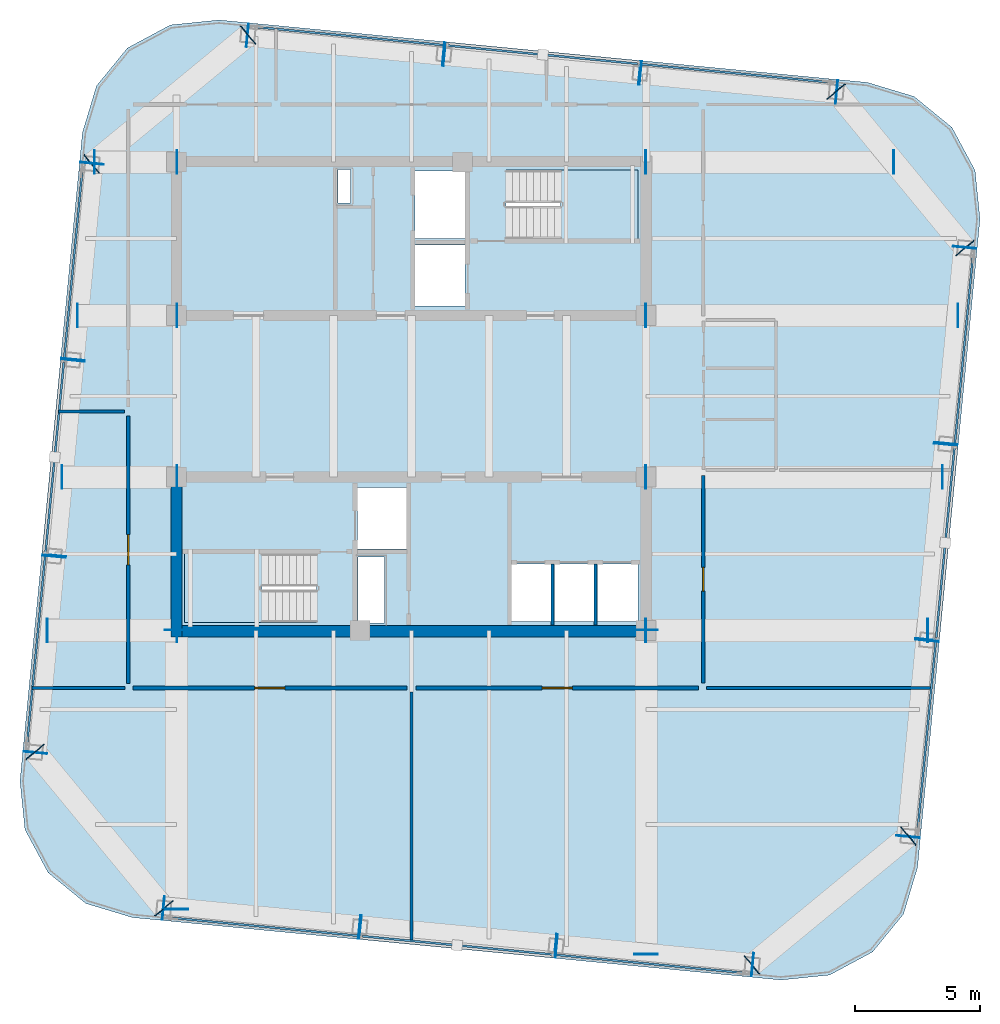
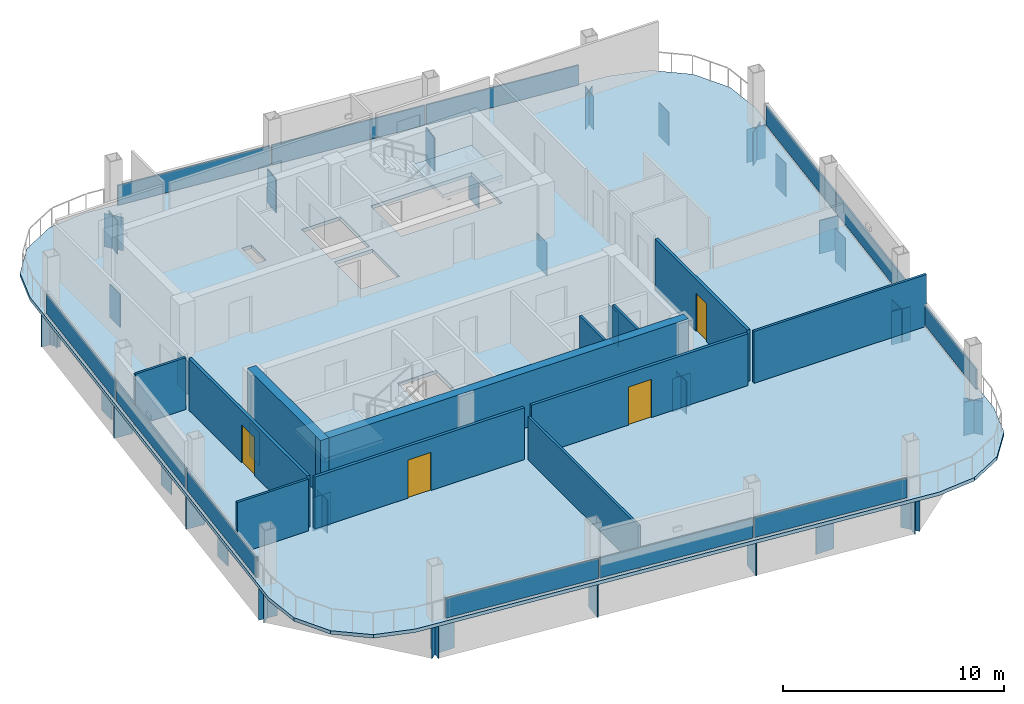
# One storey, part 15 of 21: 64 plates, 12 walls, 4 doors, 3 slabs, 4 openings, 6 elements without a shape of their own.
"""IFC4 building model written with IfcOpenShell, lengths in metres."""

from ifc_helpers import new_model, si_unit, direction, frame, frame_2d, origin, origin_2d, place, context, subcontext, project, spatial, polyline, rectangle, outline, extrude, material, layer, layer_set, type_object, element, fill, aggregate, save


model = new_model("IFC4")

# Units and contexts
model_context = context("Model", 3, precision=1e-05, world=origin(), true_north=direction((0.0, 1.0)))
body_context = subcontext(model_context, "Body", "Model", "MODEL_VIEW")
ifc_project = project(units=[si_unit("LENGTHUNIT", "METRE"), si_unit("AREAUNIT", "SQUARE_METRE"), si_unit("VOLUMEUNIT", "CUBIC_METRE"), si_unit("PLANEANGLEUNIT", "RADIAN"), si_unit("MASSUNIT", "GRAM", prefix="KILO")], contexts=[model_context])

# Site, building, storey
site_placement = place(None, origin())
site = spatial("IfcSite", under=ifc_project, at=site_placement, CompositionType="ELEMENT")
building_placement = place(site_placement, origin())
building = spatial("IfcBuilding", under=site, at=building_placement, Name="Qhalaya Broadcast Tower", CompositionType="ELEMENT")
storey_placement = place(building_placement, frame((0.0, 0.0, 270.300048828125)))
storey = spatial("IfcBuildingStorey", under=building, at=storey_placement, Name="L80", CompositionType="ELEMENT", Elevation=270.300048828125)

# Plates
ifc_material_1 = material(Name="Structural Steel ASTM A572 Grade 50", Category="steel")
ifc_layer_1 = layer(ifc_material_1, 0.4599609375, Name="Structural Steel ASTM A572 Grade 50")
ifc_layer_set_1 = layer_set([ifc_layer_1], Name="Structural Steel ASTM A572 Grade 50")
plate_type_1 = type_object("IfcPlateType", Name="Hollow Box Member End Cap Plate CP-01", PredefinedType="USERDEFINED", material=ifc_layer_set_1)
for number, where, z_axis, x_axis, name in (
    (1, (-9.89892578125, -19.826904296875, -2.01025390625), (0.0, 0.0, 1.0), (0.095828379565, 0.99539787104, 0.0), "L80 Hollow Girder End Cap L80-SPR-01-A"),
    (2, (-2.03662109375, -20.583984375, -2.01025390625), (0.0, 0.0, 1.0), (0.095828379565, 0.99539787104, 0.0), "L80 Hollow Girder End Cap L80-SPR-01-B"),
    (3, (-2.068359375, -20.580810546875, -2.01025390625), (0.0, 0.0, 1.0), (0.09584575252, 0.995396198367, 0.0), "L80 Hollow Girder End Cap L80-SPR-02-A"),
    (4, (5.793701171875, -21.337890625, -2.01025390625), (0.0, 0.0, 1.0), (0.09584575252, 0.995396198367, 0.0), "L80 Hollow Girder End Cap L80-SPR-02-B"),
    (5, (5.761962890625, -21.3349609375, -2.01025390625), (0.0, 0.0, 1.0), (0.09584575252, 0.995396198367, 0.0), "L80 Hollow Girder End Cap L80-SPR-03-A"),
    (6, (13.624267578125, -22.091796875, -2.01025390625), (0.0, 0.0, 1.0), (0.09584575252, 0.995396198367, 0.0), "L80 Hollow Girder End Cap L80-SPR-03-B"),
    (7, (13.59619140625, -22.1005859375, -2.01025390625), (0.0, 0.0, 1.0), (-0.636078220278, 0.771624583388, 0.0), "L80 Hollow Girder End Cap L80-SPR-04-A"),
    (8, (19.8408203125, -16.952880859375, -2.01025390625), (0.0, 0.0, 1.0), (-0.636078220278, 0.771624583388, 0.0), "L80 Hollow Girder End Cap L80-SPR-04-B"),
    (9, (19.826904296875, -16.97900390625, -2.01025390625), (0.0, 0.0, 1.0), (-0.99539787104, 0.095828379565, 0.0), "L80 Hollow Girder End Cap L80-SPR-05-A"),
    (10, (20.583984375, -9.11669921875, -2.01025390625), (0.0, 0.0, 1.0), (-0.99539787104, 0.095828379565, 0.0), "L80 Hollow Girder End Cap L80-SPR-05-B"),
    (11, (20.580810546875, -9.1484375, -2.01025390625), (0.0, 0.0, 1.0), (-0.995396198367, 0.09584575252, 0.0), "L80 Hollow Girder End Cap L80-SPR-06-A"),
    (12, (21.337890625, -1.2861328125, -2.01025390625), (0.0, 0.0, 1.0), (-0.995396198367, 0.09584575252, 0.0), "L80 Hollow Girder End Cap L80-SPR-06-B"),
    (13, (21.3349609375, -1.318115234375, -2.01025390625), (0.0, 0.0, 1.0), (-0.995396198367, 0.09584575252, 0.0), "L80 Hollow Girder End Cap L80-SPR-07-A"),
    (14, (22.091796875, 6.544189453125, -2.01025390625), (0.0, 0.0, 1.0), (-0.995396198367, 0.09584575252, 0.0), "L80 Hollow Girder End Cap L80-SPR-07-B"),
    (15, (22.1005859375, 6.51611328125, -2.01025390625), (0.0, 0.0, 1.0), (-0.771624583388, -0.636078220278, 0.0), "L80 Hollow Girder End Cap L80-SPR-08-A"),
    (16, (16.952880859375, 12.7607421875, -2.01025390625), (0.0, 0.0, 1.0), (-0.771624583388, -0.636078220278, 0.0), "L80 Hollow Girder End Cap L80-SPR-08-B"),
    (17, (16.97900390625, 12.7470703125, -2.01025390625), (0.0, 0.0, 1.0), (-0.095828379565, -0.99539787104, 0.0), "L80 Hollow Girder End Cap L80-SPR-09-A"),
    (18, (9.11669921875, 13.50390625, -2.01025390625), (0.0, 0.0, 1.0), (-0.095828379565, -0.99539787104, 0.0), "L80 Hollow Girder End Cap L80-SPR-09-B"),
    (19, (9.1484375, 13.5009765625, -2.01025390625), (0.0, 0.0, 1.0), (-0.09584575252, -0.995396198367, 0.0), "L80 Hollow Girder End Cap L80-SPR-10-A"),
    (20, (1.2861328125, 14.2578125, -2.01025390625), (0.0, 0.0, 1.0), (-0.09584575252, -0.995396198367, 0.0), "L80 Hollow Girder End Cap L80-SPR-10-B"),
    (21, (1.318115234375, 14.2548828125, -2.01025390625), (0.0, 0.0, 1.0), (-0.09584575252, -0.995396198367, 0.0), "L80 Hollow Girder End Cap L80-SPR-11-A"),
    (22, (-6.544189453125, 15.011962890625, -2.01025390625), (0.0, 0.0, 1.0), (-0.09584575252, -0.995396198367, 0.0), "L80 Hollow Girder End Cap L80-SPR-11-B"),
    (23, (-6.51611328125, 15.0205078125, -2.01025390625), (0.0, 0.0, 1.0), (0.636078220278, -0.771624583388, 0.0), "L80 Hollow Girder End Cap L80-SPR-12-A"),
    (24, (-12.7607421875, 9.872802734375, -2.01025390625), (0.0, 0.0, 1.0), (0.636078220278, -0.771624583388, 0.0), "L80 Hollow Girder End Cap L80-SPR-12-B"),
    (25, (-12.7470703125, 9.89892578125, -2.01025390625), (0.0, 0.0, 1.0), (0.99539787104, -0.095828379565, 0.0), "L80 Hollow Girder End Cap L80-SPR-13-A"),
    (26, (-13.50390625, 2.03662109375, -2.01025390625), (0.0, 0.0, 1.0), (0.99539787104, -0.095828379565, 0.0), "L80 Hollow Girder End Cap L80-SPR-13-B"),
    (27, (-13.5009765625, 2.068359375, -2.01025390625), (0.0, 0.0, 1.0), (0.995396198367, -0.09584575252, 0.0), "L80 Hollow Girder End Cap L80-SPR-14-A"),
    (28, (-14.2578125, -5.793701171875, -2.01025390625), (0.0, 0.0, 1.0), (0.995396198367, -0.09584575252, 0.0), "L80 Hollow Girder End Cap L80-SPR-14-B"),
    (29, (-14.2548828125, -5.761962890625, -2.01025390625), (0.0, 0.0, 1.0), (0.995396198367, -0.09584575252, 0.0), "L80 Hollow Girder End Cap L80-SPR-15-A"),
    (30, (-15.011962890625, -13.624267578125, -2.01025390625), (0.0, 0.0, 1.0), (0.995396198367, -0.09584575252, 0.0), "L80 Hollow Girder End Cap L80-SPR-15-B"),
    (31, (-15.0205078125, -13.59619140625, -2.01025390625), (0.0, 0.0, 1.0), (0.771624583388, 0.636078220278, 0.0), "L80 Hollow Girder End Cap L80-SPR-16-A"),
    (32, (-9.872802734375, -19.8408203125, -2.01025390625), (0.0, 0.0, 1.0), (0.771624583388, 0.636078220278, 0.0), "L80 Hollow Girder End Cap L80-SPR-16-B"),
    (33, (-9.375, -19.873291015625, -2.01025390625), (0.0, 0.0, 1.0), (-1.0, 0.0, 0.0), "L80 Hollow Girder End Cap L80-PGXS1-1-A"),
    (34, (-9.375, -8.73388671875, -2.01025390625), (0.0, 0.0, 1.0), (-1.0, 0.0, 0.0), "L80 Hollow Girder End Cap L80-PGXS1-1-B"),
    (35, (9.375, -21.6787109375, -2.01025390625), (0.0, 0.0, 1.0), (-1.0, 0.0, 0.0), "L80 Hollow Girder End Cap L80-PGXS2-1-A"),
    (36, (9.375, -8.73388671875, -2.01025390625), (0.0, 0.0, 1.0), (-1.0, 0.0, 0.0), "L80 Hollow Girder End Cap L80-PGXS2-1-B"),
    (37, (-14.53857421875, -8.75, -2.01025390625), (0.0, 0.0, 1.0), (0.0, 1.0, 0.0), "L80 Hollow Girder End Cap L80-PGYW1-1-A"),
    (38, (-9.35888671875, -8.75, -2.01025390625), (0.0, 0.0, 1.0), (0.0, 1.0, 0.0), "L80 Hollow Girder End Cap L80-PGYW1-1-B"),
    (39, (9.35888671875, -8.75, -2.01025390625), (0.0, 0.0, 1.0), (0.0, 1.0, 0.0), "L80 Hollow Girder End Cap L80-PGYE1-1-A"),
    (40, (20.614990234375, -8.75, -2.01025390625), (0.0, 0.0, 1.0), (0.0, 1.0, 0.0), "L80 Hollow Girder End Cap L80-PGYE1-1-B"),
    (41, (-13.94873046875, -2.625, -2.01025390625), (0.0, 0.0, 1.0), (0.0, 1.0, 0.0), "L80 Hollow Girder End Cap L80-PGYW2-1-A"),
    (42, (-9.35888671875, -2.625, -2.01025390625), (0.0, 0.0, 1.0), (0.0, 1.0, 0.0), "L80 Hollow Girder End Cap L80-PGYW2-1-B"),
    (43, (9.35888671875, -2.625, -2.01025390625), (0.0, 0.0, 1.0), (0.0, 1.0, 0.0), "L80 Hollow Girder End Cap L80-PGYE2-1-A"),
    (44, (21.204833984375, -2.625, -2.01025390625), (0.0, 0.0, 1.0), (0.0, 1.0, 0.0), "L80 Hollow Girder End Cap L80-PGYE2-1-B"),
    (45, (-13.32763671875, 3.824951171875, -2.01025390625), (0.0, 0.0, 1.0), (0.0, 1.0, 0.0), "L80 Hollow Girder End Cap L80-PGYW3-1-A"),
    (46, (-9.35888671875, 3.824951171875, -2.01025390625), (0.0, 0.0, 1.0), (0.0, 1.0, 0.0), "L80 Hollow Girder End Cap L80-PGYW3-1-B"),
    (47, (9.35888671875, 3.824951171875, -2.01025390625), (0.0, 0.0, 1.0), (0.0, 1.0, 0.0), "L80 Hollow Girder End Cap L80-PGYE3-1-A"),
    (48, (21.825927734375, 3.824951171875, -2.01025390625), (0.0, 0.0, 1.0), (0.0, 1.0, 0.0), "L80 Hollow Girder End Cap L80-PGYE3-1-B"),
    (49, (-12.65185546875, 9.949951171875, -2.01025390625), (0.0, 0.0, 1.0), (0.0, 1.0, 0.0), "L80 Hollow Girder End Cap L80-PGYW4-1-A"),
    (50, (-9.35888671875, 9.949951171875, -2.01025390625), (0.0, 0.0, 1.0), (0.0, 1.0, 0.0), "L80 Hollow Girder End Cap L80-PGYW4-1-B"),
    (51, (9.35888671875, 9.949951171875, -2.01025390625), (0.0, 0.0, 1.0), (0.0, 1.0, 0.0), "L80 Hollow Girder End Cap L80-PGYE4-1-A"),
    (52, (19.260009765625, 9.949951171875, -2.01025390625), (0.0, 0.0, 1.0), (0.0, 1.0, 0.0), "L80 Hollow Girder End Cap L80-PGYE4-1-B"),
):
    element("IfcPlate", number, at=place(storey_placement, frame(where, z_axis=z_axis, x_axis=x_axis)), inside=storey, type_object=plate_type_1, Name=name, ObjectType="COVER_PLATE", PredefinedType="USERDEFINED", context=body_context, shape_type="SweptSolid", body=[
        extrude(rectangle(XDim=0.93994140625, YDim=0.031982421875, at=origin_2d()), origin(), (0.0, 0.0, 1.0), 1.840087890625),
    ])

# Curtain wall, plates
ifc_material_2 = material(Name="Fired Architectural Terracotta", Category="masonry")
ifc_layer_2 = layer(ifc_material_2, 0.219970703125, Name="Fired Architectural Terracotta")
ifc_layer_set_2 = layer_set([ifc_layer_2], Name="Fired Architectural Terracotta")
curtain_wall_type = type_object("IfcCurtainWallType", Name="Block-Cap Unitised Terracotta Spandrel Wall CW-07", PredefinedType="NOTDEFINED", material=ifc_layer_set_2)
curtain_wall_1_placement = place(storey_placement, origin())
curtain_wall_1 = element("IfcCurtainWall", 53, at=curtain_wall_1_placement, inside=storey, type_object=curtain_wall_type, Name="L80 Unitised Curtain Wall L80-CW-S", PredefinedType="NOTDEFINED")
ifc_layer_3 = layer(ifc_material_2, 0.080078125, Name="Fired Architectural Terracotta")
ifc_layer_set_3 = layer_set([ifc_layer_3], Name="Fired Architectural Terracotta")
plate_type_2 = type_object("IfcPlateType", Name="Insulated Terracotta Spandrel Panel TSP-07", PredefinedType="CURTAIN_PANEL", material=ifc_layer_set_3)
plate_1_placement = place(storey_placement, frame((9.448974609375, -22.051513671875, 0.07470703125), z_axis=(0.0, 0.0, 1.0), x_axis=(-0.995396001153, 0.095847800651, 0.0)))
plate_1 = element("IfcPlate", 54, at=plate_1_placement, type_object=plate_type_2, Name="CW-07 panel 1.1", PredefinedType="CURTAIN_PANEL", context=body_context, shape_type="SweptSolid", body=[
    extrude(rectangle(XDim=7.562255859375, YDim=0.080078125, at=origin_2d()), origin(), (0.0, 0.0, 1.0), 1.090087890625),
])
plate_2_placement = place(storey_placement, frame((1.828125, -21.31787109375, 0.07470703125), z_axis=(0.0, 0.0, 1.0), x_axis=(-0.995396001153, 0.095847800651, 0.0)))
plate_2 = element("IfcPlate", 55, at=plate_2_placement, type_object=plate_type_2, Name="CW-07 panel 2.1", PredefinedType="CURTAIN_PANEL", context=body_context, shape_type="SweptSolid", body=[
    extrude(rectangle(XDim=7.599609375, YDim=0.080078125, at=origin_2d()), origin(), (0.0, 0.0, 1.0), 1.090087890625),
])
plate_3_placement = place(storey_placement, frame((-5.79248046875, -20.583984375, 0.07470703125), z_axis=(0.0, 0.0, 1.0), x_axis=(-0.995396001153, 0.095847800651, 0.0)))
plate_3 = element("IfcPlate", 56, at=plate_3_placement, type_object=plate_type_2, Name="CW-07 panel 3.1", PredefinedType="CURTAIN_PANEL", context=body_context, shape_type="SweptSolid", body=[
    extrude(rectangle(XDim=7.562255859375, YDim=0.080078125, at=origin_2d()), origin(), (0.0, 0.0, 1.0), 1.090087890625),
])
aggregate(curtain_wall_1, [plate_1, plate_2, plate_3])

curtain_wall_2_placement = place(storey_placement, origin())
curtain_wall_2 = element("IfcCurtainWall", 57, at=curtain_wall_2_placement, inside=storey, type_object=curtain_wall_type, Name="L80 Unitised Curtain Wall L80-CW-E", PredefinedType="NOTDEFINED")
plate_4_placement = place(storey_placement, frame((22.051513671875, 2.368896484375, 0.07470703125), z_axis=(0.0, 0.0, 1.0), x_axis=(-0.095847800651, -0.995396001153, 0.0)))
plate_4 = element("IfcPlate", 58, at=plate_4_placement, type_object=plate_type_2, Name="CW-07 panel 1.1", PredefinedType="CURTAIN_PANEL", context=body_context, shape_type="SweptSolid", body=[
    extrude(rectangle(XDim=7.562255859375, YDim=0.080078125, at=origin_2d()), origin(), (0.0, 0.0, 1.0), 1.090087890625),
])
plate_5_placement = place(storey_placement, frame((21.31787109375, -5.251708984375, 0.07470703125), z_axis=(0.0, 0.0, 1.0), x_axis=(-0.095847800651, -0.995396001153, 0.0)))
plate_5 = element("IfcPlate", 59, at=plate_5_placement, type_object=plate_type_2, Name="CW-07 panel 2.1", PredefinedType="CURTAIN_PANEL", context=body_context, shape_type="SweptSolid", body=[
    extrude(rectangle(XDim=7.599609375, YDim=0.080078125, at=origin_2d()), origin(), (0.0, 0.0, 1.0), 1.090087890625),
])
plate_6_placement = place(storey_placement, frame((20.583984375, -12.87255859375, 0.07470703125), z_axis=(0.0, 0.0, 1.0), x_axis=(-0.095847800651, -0.995396001153, 0.0)))
plate_6 = element("IfcPlate", 60, at=plate_6_placement, type_object=plate_type_2, Name="CW-07 panel 3.1", PredefinedType="CURTAIN_PANEL", context=body_context, shape_type="SweptSolid", body=[
    extrude(rectangle(XDim=7.562255859375, YDim=0.080078125, at=origin_2d()), origin(), (0.0, 0.0, 1.0), 1.090087890625),
])
aggregate(curtain_wall_2, [plate_4, plate_5, plate_6])

curtain_wall_3_placement = place(storey_placement, origin())
curtain_wall_3 = element("IfcCurtainWall", 61, at=curtain_wall_3_placement, inside=storey, type_object=curtain_wall_type, Name="L80 Unitised Curtain Wall L80-CW-N", PredefinedType="NOTDEFINED")
plate_7_placement = place(storey_placement, frame((-2.368896484375, 14.9716796875, 0.07470703125), z_axis=(0.0, 0.0, 1.0), x_axis=(0.995396001153, -0.095847800651, 0.0)))
plate_7 = element("IfcPlate", 62, at=plate_7_placement, type_object=plate_type_2, Name="CW-07 panel 1.1", PredefinedType="CURTAIN_PANEL", context=body_context, shape_type="SweptSolid", body=[
    extrude(rectangle(XDim=7.562255859375, YDim=0.080078125, at=origin_2d()), origin(), (0.0, 0.0, 1.0), 1.090087890625),
])
plate_8_placement = place(storey_placement, frame((5.251708984375, 14.23779296875, 0.07470703125), z_axis=(0.0, 0.0, 1.0), x_axis=(0.995396001153, -0.095847800651, 0.0)))
plate_8 = element("IfcPlate", 63, at=plate_8_placement, type_object=plate_type_2, Name="CW-07 panel 2.1", PredefinedType="CURTAIN_PANEL", context=body_context, shape_type="SweptSolid", body=[
    extrude(rectangle(XDim=7.599609375, YDim=0.080078125, at=origin_2d()), origin(), (0.0, 0.0, 1.0), 1.090087890625),
])
plate_9_placement = place(storey_placement, frame((12.87255859375, 13.50390625, 0.07470703125), z_axis=(0.0, 0.0, 1.0), x_axis=(0.995396001153, -0.095847800651, 0.0)))
plate_9 = element("IfcPlate", 64, at=plate_9_placement, type_object=plate_type_2, Name="CW-07 panel 3.1", PredefinedType="CURTAIN_PANEL", context=body_context, shape_type="SweptSolid", body=[
    extrude(rectangle(XDim=7.562255859375, YDim=0.080078125, at=origin_2d()), origin(), (0.0, 0.0, 1.0), 1.090087890625),
])
aggregate(curtain_wall_3, [plate_7, plate_8, plate_9])

curtain_wall_4_placement = place(storey_placement, origin())
curtain_wall_4 = element("IfcCurtainWall", 65, at=curtain_wall_4_placement, inside=storey, type_object=curtain_wall_type, Name="L80 Unitised Curtain Wall L80-CW-W", PredefinedType="NOTDEFINED")
plate_10_placement = place(storey_placement, frame((-14.9716796875, -9.448974609375, 0.07470703125), z_axis=(0.0, 0.0, 1.0), x_axis=(0.095847800651, 0.995396001153, 0.0)))
plate_10 = element("IfcPlate", 66, at=plate_10_placement, type_object=plate_type_2, Name="CW-07 panel 1.1", PredefinedType="CURTAIN_PANEL", context=body_context, shape_type="SweptSolid", body=[
    extrude(rectangle(XDim=7.562255859375, YDim=0.080078125, at=origin_2d()), origin(), (0.0, 0.0, 1.0), 1.090087890625),
])
plate_11_placement = place(storey_placement, frame((-14.23779296875, -1.828125, 0.07470703125), z_axis=(0.0, 0.0, 1.0), x_axis=(0.095847800651, 0.995396001153, 0.0)))
plate_11 = element("IfcPlate", 67, at=plate_11_placement, type_object=plate_type_2, Name="CW-07 panel 2.1", PredefinedType="CURTAIN_PANEL", context=body_context, shape_type="SweptSolid", body=[
    extrude(rectangle(XDim=7.599609375, YDim=0.080078125, at=origin_2d()), origin(), (0.0, 0.0, 1.0), 1.090087890625),
])
plate_12_placement = place(storey_placement, frame((-13.50390625, 5.79248046875, 0.07470703125), z_axis=(0.0, 0.0, 1.0), x_axis=(0.095847800651, 0.995396001153, 0.0)))
plate_12 = element("IfcPlate", 68, at=plate_12_placement, type_object=plate_type_2, Name="CW-07 panel 3.1", PredefinedType="CURTAIN_PANEL", context=body_context, shape_type="SweptSolid", body=[
    extrude(rectangle(XDim=7.562255859375, YDim=0.080078125, at=origin_2d()), origin(), (0.0, 0.0, 1.0), 1.090087890625),
])
aggregate(curtain_wall_4, [plate_10, plate_11, plate_12])

# Stair, slab
ifc_material_3 = material(Name="Concrete C40/50", Category="concrete")
stair_type = type_object("IfcStairType", Name="Protected Dogleg Core Stair 3150", PredefinedType="TWO_STRAIGHT_RUN_STAIR", material=ifc_material_3)
stair_1_placement = place(storey_placement, origin())
stair_1 = element("IfcStair", 69, at=stair_1_placement, inside=storey, type_object=stair_type, Name="L80 North Core Exit Stair ST-1", PredefinedType="TWO_STRAIGHT_RUN_STAIR")
ifc_layer_4 = layer(ifc_material_3, 0.199951171875, Name="Concrete C40/50")
ifc_layer_set_4 = layer_set([ifc_layer_4], Name="Concrete C40/50")
slab_type_1 = type_object("IfcSlabType", Name="Stair & Ramp Half-Landing Slab 200", PredefinedType="LANDING", material=ifc_layer_set_4)
slab_1_placement = place(storey_placement, frame((0.0, 0.0, 1.324951171875)))
slab_1 = element("IfcSlab", 70, at=slab_1_placement, type_object=slab_type_1, Name="ST-1 landing 1", PredefinedType="LANDING", context=body_context, shape_type="SweptSolid", body=[
    extrude(outline(polyline([(5.955078125, 6.8798828125), (9.050048828125, 6.8798828125), (9.050048828125, 9.639892578125), (5.955078125, 9.639892578125), (5.955078125, 6.8798828125)])), origin(), (0.0, 0.0, 1.0), 0.199951171875),
])
aggregate(stair_1, [slab_1])

stair_2_placement = place(storey_placement, origin())
stair_2 = element("IfcStair", 71, at=stair_2_placement, inside=storey, type_object=stair_type, Name="L80 South Core Exit Stair ST-2", PredefinedType="TWO_STRAIGHT_RUN_STAIR")
slab_2_placement = place(storey_placement, frame((0.0, 0.0, 1.324951171875)))
slab_2 = element("IfcSlab", 72, at=slab_2_placement, type_object=slab_type_1, Name="ST-2 landing 1", PredefinedType="LANDING", context=body_context, shape_type="SweptSolid", body=[
    extrude(outline(polyline([(-5.955078125, -5.679931640625), (-9.050048828125, -5.679931640625), (-9.050048828125, -8.43994140625), (-5.955078125, -8.43994140625), (-5.955078125, -5.679931640625)])), origin(), (0.0, 0.0, 1.0), 0.199951171875),
])
aggregate(stair_2, [slab_2])

# Slab
ifc_layer_5 = layer(ifc_material_3, 0.18994140625, Name="Concrete C40/50")
ifc_layer_set_5 = layer_set([ifc_layer_5], Name="Concrete C40/50")
slab_type_2 = type_object("IfcSlabType", Name="Upper Tower Composite Floor Slab 190", PredefinedType="FLOOR", material=ifc_layer_set_5)
slab_3_placement = place(storey_placement, frame((0.0, 0.0, -0.18994140625)))
element("IfcSlab", 73, at=slab_3_placement, inside=storey, type_object=slab_type_2, Name="L80 Main Structural Floor Slab", PredefinedType="FLOOR", context=body_context, shape_type="SweptSolid", body=[
    extrude(outline(polyline([(14.7548828125, -22.703125), (16.696044921875, -22.5078125), (18.41455078125, -21.584228515625), (19.64892578125, -20.073486328125), (20.211181640625, -18.205322265625), (22.703125, 7.6748046875), (22.5078125, 9.615966796875), (21.584228515625, 11.33447265625), (20.073486328125, 12.56884765625), (18.205322265625, 13.131103515625), (-7.6748046875, 15.623046875), (-9.615966796875, 15.427734375), (-11.33447265625, 14.50439453125), (-12.56884765625, 12.993408203125), (-13.131103515625, 11.12548828125), (-15.623046875, -14.7548828125), (-15.427734375, -16.696044921875), (-14.50439453125, -18.41455078125), (-12.993408203125, -19.64892578125), (-11.12548828125, -20.211181640625), (14.7548828125, -22.703125)]), holes=[polyline([(3.784912109375, 9.639892578125), (9.050048828125, 9.639892578125), (9.050048828125, 6.8798828125), (3.784912109375, 6.8798828125), (3.784912109375, 9.639892578125)]), polyline([(-3.784912109375, -8.43994140625), (-9.050048828125, -8.43994140625), (-9.050048828125, -5.679931640625), (-3.784912109375, -5.679931640625), (-3.784912109375, -8.43994140625)]), polyline([(0.14990234375, 6.64990234375), (2.14990234375, 6.64990234375), (2.14990234375, 4.199951171875), (0.14990234375, 4.199951171875), (0.14990234375, 6.64990234375)]), polyline([(0.14990234375, 9.60009765625), (2.14990234375, 9.60009765625), (2.14990234375, 6.89990234375), (0.14990234375, 6.89990234375), (0.14990234375, 9.60009765625)]), polyline([(-2.14990234375, -3.050048828125), (-0.14990234375, -3.050048828125), (-0.14990234375, -5.5), (-2.14990234375, -5.5), (-2.14990234375, -3.050048828125)]), polyline([(4.0, -6.10009765625), (5.60009765625, -6.10009765625), (5.60009765625, -8.39990234375), (4.0, -8.39990234375), (4.0, -6.10009765625)]), polyline([(5.719970703125, -6.10009765625), (7.320068359375, -6.10009765625), (7.320068359375, -8.39990234375), (5.719970703125, -8.39990234375), (5.719970703125, -6.10009765625)]), polyline([(7.43994140625, -6.10009765625), (9.0400390625, -6.10009765625), (9.0400390625, -8.39990234375), (7.43994140625, -8.39990234375), (7.43994140625, -6.10009765625)]), polyline([(-2.919921875, 9.659912109375), (-2.419921875, 9.659912109375), (-2.419921875, 8.320068359375), (-2.919921875, 8.320068359375), (-2.919921875, 9.659912109375)]), polyline([(-2.1201171875, -5.820068359375), (-1.080078125, -5.820068359375), (-1.080078125, -8.4599609375), (-2.1201171875, -8.4599609375), (-2.1201171875, -5.820068359375)])]), origin(), (0.0, 0.0, 1.0), 0.18994140625),
])

# Wall, opening, door
ifc_material_4 = material(Name="Gypsum Acoustic Partition")
ifc_layer_6 = layer(ifc_material_4, 0.14990234375, Name="Gypsum Acoustic Partition")
ifc_layer_set_6 = layer_set([ifc_layer_6], Name="Gypsum Acoustic Partition")
wall_type_1 = type_object("IfcWallType", Name="Corridor & Tenancy Acoustic Partition 150", PredefinedType="PARTITIONING", material=ifc_layer_set_6)
wall_1_placement = place(storey_placement, frame((-11.1201171875, -11.050048828125, 0.0), z_axis=(0.0, 0.0, 1.0), x_axis=(1.0, 0.0, 0.0)))
wall_1 = element("IfcWall", 74, at=wall_1_placement, inside=storey, type_object=wall_type_1, Name="L80 Partition Wall W-COR-04", PredefinedType="PARTITIONING", context=body_context, shape_type="SweptSolid", body=[
    extrude(rectangle(XDim=10.940185546875, YDim=0.14990234375, at=frame_2d((5.47021484375, 0.0))), origin(), (0.0, 0.0, 1.0), 2.85986328125),
])
opening_1_placement = place(wall_1_placement, frame((4.8701171875, 0.0, 0.0)))
opening_1 = element("IfcOpeningElement", 75, at=opening_1_placement, cuts=wall_1, Name="Opening D11", PredefinedType="OPENING", context=body_context, shape_type="SweptSolid", body=[
    extrude(rectangle(XDim=1.199951171875, YDim=2.10009765625, at=frame_2d((0.60009765625, 1.050048828125))), frame((0.0, 0.0869140625, 0.0), z_axis=(0.0, -1.0, 0.0), x_axis=(1.0, 0.0, 0.0)), (0.0, 0.0, 1.0), 0.173828125),
])
ifc_material_5 = material(Name="Anodised Aluminium Glazed Door", Category="aluminium")
door_type_1 = type_object("IfcDoorType", Name="Conference, Boardroom & Studio Control Door D11", OperationType="NOTDEFINED", PredefinedType="DOOR", material=ifc_material_5)
door_1_placement = place(opening_1_placement, origin())
door_1 = element("IfcDoor", 76, at=door_1_placement, inside=storey, type_object=door_type_1, Name="L80 Door D-RM04", OperationType="SINGLE_SWING_LEFT", OverallHeight=2.10009765625, OverallWidth=1.199951171875, PredefinedType="DOOR", context=body_context, shape_type="SweptSolid", body=[
    extrude(rectangle(XDim=1.199951171875, YDim=2.10009765625, at=frame_2d((0.60009765625, 1.050048828125))), frame((0.0, 0.02490234375, 0.0), z_axis=(0.0, -1.0, 0.0), x_axis=(1.0, 0.0, 0.0)), (0.0, 0.0, 1.0), 0.050048828125),
])
fill(opening_1, door_1)

wall_2_placement = place(storey_placement, frame((0.179931640625, -11.050048828125, 0.0), z_axis=(0.0, 0.0, 1.0), x_axis=(1.0, 0.0, 0.0)))
wall_2 = element("IfcWall", 77, at=wall_2_placement, inside=storey, type_object=wall_type_1, Name="L80 Partition Wall W-COR-05", PredefinedType="PARTITIONING", context=body_context, shape_type="SweptSolid", body=[
    extrude(rectangle(XDim=11.2900390625, YDim=0.14990234375, at=frame_2d((5.64501953125, 0.0))), origin(), (0.0, 0.0, 1.0), 2.85986328125),
])
opening_2_placement = place(wall_2_placement, frame((5.044921875, 0.0, 0.0)))
opening_2 = element("IfcOpeningElement", 78, at=opening_2_placement, cuts=wall_2, Name="Opening D11", PredefinedType="OPENING", context=body_context, shape_type="SweptSolid", body=[
    extrude(rectangle(XDim=1.199951171875, YDim=2.10009765625, at=frame_2d((0.60009765625, 1.050048828125))), frame((0.0, 0.0869140625, 0.0), z_axis=(0.0, -1.0, 0.0), x_axis=(1.0, 0.0, 0.0)), (0.0, 0.0, 1.0), 0.173828125),
])
door_2_placement = place(opening_2_placement, origin())
door_2 = element("IfcDoor", 79, at=door_2_placement, inside=storey, type_object=door_type_1, Name="L80 Door D-RM05", OperationType="SINGLE_SWING_RIGHT", OverallHeight=2.10009765625, OverallWidth=1.199951171875, PredefinedType="DOOR", context=body_context, shape_type="SweptSolid", body=[
    extrude(rectangle(XDim=1.199951171875, YDim=2.10009765625, at=frame_2d((0.60009765625, 1.050048828125))), frame((0.0, 0.02490234375, 0.0), z_axis=(0.0, -1.0, 0.0), x_axis=(1.0, 0.0, 0.0)), (0.0, 0.0, 1.0), 0.050048828125),
])
fill(opening_2, door_2)

wall_3_placement = place(storey_placement, frame((-11.300048828125, -0.179931640625, 0.0), z_axis=(0.0, 0.0, 1.0), x_axis=(0.0, -1.0, 0.0)))
wall_3 = element("IfcWall", 80, at=wall_3_placement, inside=storey, type_object=wall_type_1, Name="L80 Partition Wall W-COR-06", PredefinedType="PARTITIONING", context=body_context, shape_type="SweptSolid", body=[
    extrude(rectangle(XDim=10.690185546875, YDim=0.14990234375, at=frame_2d((5.34521484375, 0.0))), origin(), (0.0, 0.0, 1.0), 2.85986328125),
])
opening_3_placement = place(wall_3_placement, frame((4.7451171875, 0.0, 0.0)))
opening_3 = element("IfcOpeningElement", 81, at=opening_3_placement, cuts=wall_3, Name="Opening D11", PredefinedType="OPENING", context=body_context, shape_type="SweptSolid", body=[
    extrude(rectangle(XDim=1.199951171875, YDim=2.10009765625, at=frame_2d((0.60009765625, 1.050048828125))), frame((0.0, 0.0869140625, 0.0), z_axis=(0.0, -1.0, 0.0), x_axis=(1.0, 0.0, 0.0)), (0.0, 0.0, 1.0), 0.173828125),
])
door_3_placement = place(opening_3_placement, origin())
door_3 = element("IfcDoor", 82, at=door_3_placement, inside=storey, type_object=door_type_1, Name="L80 Door D-RM06", OperationType="SINGLE_SWING_LEFT", OverallHeight=2.10009765625, OverallWidth=1.199951171875, PredefinedType="DOOR", context=body_context, shape_type="SweptSolid", body=[
    extrude(rectangle(XDim=1.199951171875, YDim=2.10009765625, at=frame_2d((0.60009765625, 1.050048828125))), frame((0.0, 0.02490234375, 0.0), z_axis=(0.0, -1.0, 0.0), x_axis=(1.0, 0.0, 0.0)), (0.0, 0.0, 1.0), 0.050048828125),
])
fill(opening_3, door_3)

wall_4_placement = place(storey_placement, frame((11.64990234375, -10.85009765625, 0.0), z_axis=(0.0, 0.0, 1.0), x_axis=(0.0, 1.0, 0.0)))
wall_4 = element("IfcWall", 83, at=wall_4_placement, inside=storey, type_object=wall_type_1, Name="L80 Partition Wall W-COR-08", PredefinedType="PARTITIONING", context=body_context, shape_type="SweptSolid", body=[
    extrude(rectangle(XDim=8.2900390625, YDim=0.14990234375, at=frame_2d((4.14501953125, 0.0))), origin(), (0.0, 0.0, 1.0), 2.85986328125),
])
opening_4_placement = place(wall_4_placement, frame((3.669921875, 0.0, 0.0)))
opening_4 = element("IfcOpeningElement", 84, at=opening_4_placement, cuts=wall_4, Name="Opening D10", PredefinedType="OPENING", context=body_context, shape_type="SweptSolid", body=[
    extrude(rectangle(XDim=0.949951171875, YDim=2.10009765625, at=frame_2d((0.47509765625, 1.050048828125))), frame((0.0, 0.0869140625, 0.0), z_axis=(0.0, -1.0, 0.0), x_axis=(1.0, 0.0, 0.0)), (0.0, 0.0, 1.0), 0.173828125),
])
ifc_material_6 = material(Name="Timber Veneer Acoustic Door", Category="wood")
door_type_2 = type_object("IfcDoorType", Name="Cellular Office & Edit Booth Door D10", OperationType="NOTDEFINED", PredefinedType="DOOR", material=ifc_material_6)
door_4_placement = place(opening_4_placement, origin())
door_4 = element("IfcDoor", 85, at=door_4_placement, inside=storey, type_object=door_type_2, Name="L80 Door D-RM08", OperationType="SINGLE_SWING_LEFT", OverallHeight=2.10009765625, OverallWidth=0.949951171875, PredefinedType="DOOR", context=body_context, shape_type="SweptSolid", body=[
    extrude(rectangle(XDim=0.949951171875, YDim=2.10009765625, at=frame_2d((0.47509765625, 1.050048828125))), frame((0.0, 0.02490234375, 0.0), z_axis=(0.0, -1.0, 0.0), x_axis=(1.0, 0.0, 0.0)), (0.0, 0.0, 1.0), 0.050048828125),
])
fill(opening_4, door_4)

# Walls
ifc_layer_7 = layer(ifc_material_4, 0.1201171875, Name="Gypsum Acoustic Partition")
ifc_layer_set_7 = layer_set([ifc_layer_7], Name="Gypsum Acoustic Partition")
wall_type_2 = type_object("IfcWallType", Name="Office, Booth & Sanitary Partition 120", PredefinedType="PARTITIONING", material=ifc_layer_set_7)
for number, where, z_axis, x_axis, name in (
    (86, (5.639892578125, -8.530029296875, 0.0), (0.0, 0.0, 1.0), (0.0, 1.0, 0.0), "L80 Partition Wall SCW-HD6"),
    (87, (7.360107421875, -8.530029296875, 0.0), (0.0, 0.0, 1.0), (0.0, 1.0, 0.0), "L80 Partition Wall SCW-HD7"),
):
    element("IfcWall", number, at=place(storey_placement, frame(where, z_axis=z_axis, x_axis=x_axis)), inside=storey, type_object=wall_type_2, Name=name, PredefinedType="PARTITIONING", context=body_context, shape_type="SweptSolid", body=[
        extrude(rectangle(XDim=2.429931640625, YDim=0.1201171875, at=frame_2d((1.21484375, 0.0))), origin(), (0.0, 0.0, 1.0), 2.85986328125),
    ])
wall_5_placement = place(storey_placement, frame((-15.145751953125, -11.050048828125, 0.0), z_axis=(0.0, 0.0, 1.0), x_axis=(1.0, 0.0, 0.0)))
element("IfcWall", 88, at=wall_5_placement, inside=storey, type_object=wall_type_2, Name="L80 Partition Wall W-BNDW2", PredefinedType="PARTITIONING", context=body_context, shape_type="SweptSolid", body=[
    extrude(rectangle(XDim=3.705810546875, YDim=0.1201171875, at=frame_2d((1.85302734375, 0.0))), origin(), (0.0, 0.0, 1.0), 2.85986328125),
])
wall_6_placement = place(storey_placement, frame((11.7900390625, -11.050048828125, 0.0), z_axis=(0.0, 0.0, 1.0), x_axis=(1.0, 0.0, 0.0)))
element("IfcWall", 89, at=wall_6_placement, inside=storey, type_object=wall_type_2, Name="L80 Partition Wall W-BNDE2", PredefinedType="PARTITIONING", context=body_context, shape_type="SweptSolid", body=[
    extrude(rectangle(XDim=8.989501953125, YDim=0.1201171875, at=frame_2d((4.49462890625, 0.0))), origin(), (0.0, 0.0, 1.0), 2.85986328125),
])
wall_7_placement = place(storey_placement, frame((0.0, -21.161865234375, 0.0), z_axis=(0.0, 0.0, 1.0), x_axis=(0.0, 1.0, 0.0)))
element("IfcWall", 90, at=wall_7_placement, inside=storey, type_object=wall_type_2, Name="L80 Partition Wall W-DIVS1", PredefinedType="PARTITIONING", context=body_context, shape_type="SweptSolid", body=[
    extrude(rectangle(XDim=9.951904296875, YDim=0.1201171875, at=frame_2d((4.97607421875, 0.0))), origin(), (0.0, 0.0, 1.0), 2.380859375),
])
wall_8_placement = place(storey_placement, frame((-14.081787109375, 0.0, 0.0), z_axis=(0.0, 0.0, 1.0), x_axis=(1.0, 0.0, 0.0)))
element("IfcWall", 91, at=wall_8_placement, inside=storey, type_object=wall_type_2, Name="L80 Partition Wall W-DIVW1", PredefinedType="PARTITIONING", context=body_context, shape_type="SweptSolid", body=[
    extrude(rectangle(XDim=2.621826171875, YDim=0.1201171875, at=frame_2d((1.31103515625, 0.0))), origin(), (0.0, 0.0, 1.0), 2.85986328125),
])
ifc_material_7 = material(Name="Concrete C50/60", Category="concrete")
ifc_layer_8 = layer(ifc_material_7, 0.449951171875, Name="Concrete C50/60")
ifc_layer_set_8 = layer_set([ifc_layer_8], Name="Concrete C50/60")
wall_type_3 = type_object("IfcWallType", Name="Upper Split-Core Shear Wall 450", PredefinedType="SHEAR", material=ifc_layer_set_8)
wall_9_placement = place(storey_placement, frame((-9.60009765625, -8.77490234375, 0.0), z_axis=(0.0, 0.0, 1.0), x_axis=(1.0, 0.0, 0.0)))
element("IfcWall", 92, at=wall_9_placement, inside=storey, type_object=wall_type_3, Name="L80 Split-Core Shear Wall CW-SS", PredefinedType="SHEAR", context=body_context, shape_type="SweptSolid", body=[
    extrude(rectangle(XDim=19.2001953125, YDim=0.449951171875, at=frame_2d((9.60009765625, 0.0))), origin(), (0.0, 0.0, 1.0), 3.050048828125),
])
wall_10_placement = place(storey_placement, frame((-9.375, -9.0, 0.0), z_axis=(0.0, 0.0, 1.0), x_axis=(0.0, 1.0, 0.0)))
element("IfcWall", 93, at=wall_10_placement, inside=storey, type_object=wall_type_3, Name="L80 Split-Core Shear Wall CW-SW", PredefinedType="SHEAR", context=body_context, shape_type="SweptSolid", body=[
    extrude(rectangle(XDim=6.60009765625, YDim=0.449951171875, at=frame_2d((3.300048828125, 0.0))), origin(), (0.0, 0.0, 1.0), 3.050048828125),
])

save(model, "model.ifc")
